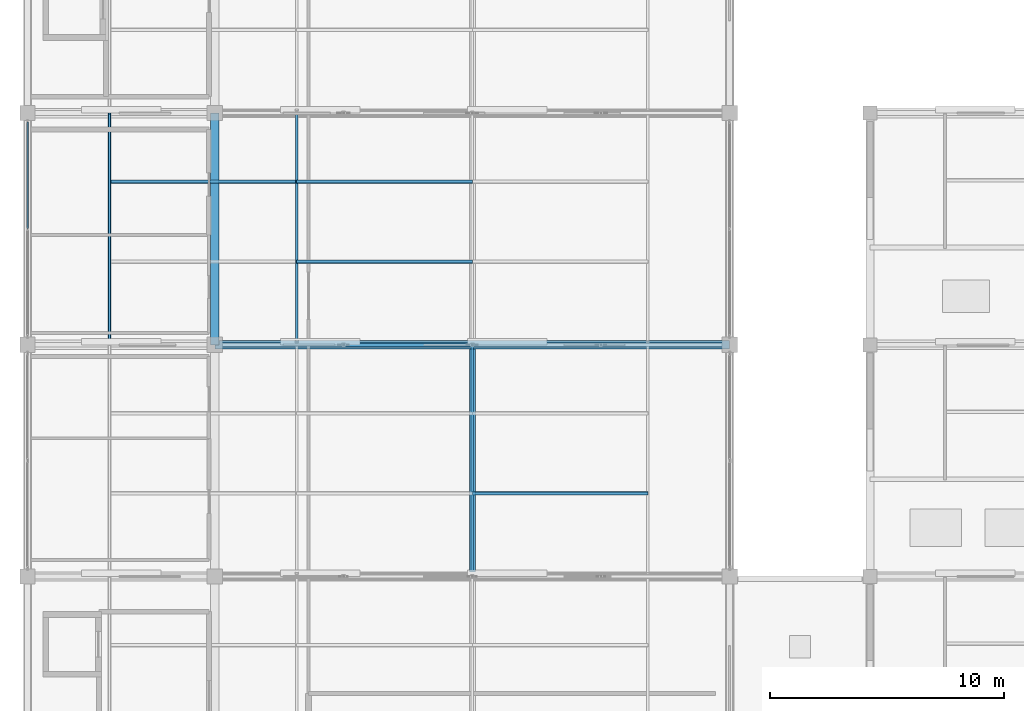
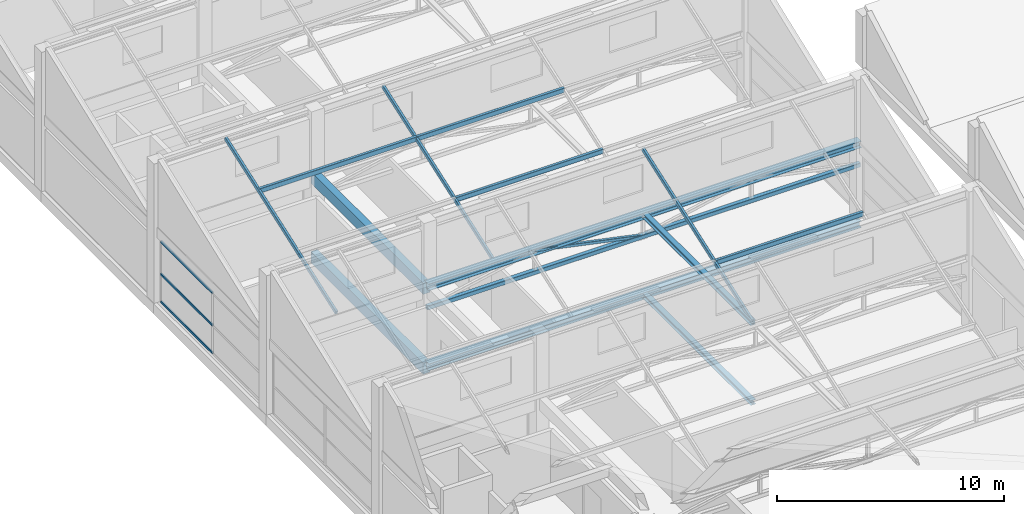
# One storey, part 12 of 35: 12 members, 6 beams, 1 element without a shape of its own.
"""IFC4 building model written with IfcOpenShell, lengths in metres."""

from ifc_helpers import new_model, si_unit, direction, frame, origin, origin_2d, place, context, subcontext, project, spatial, rectangle, hollow_rectangle, i_section, extrude, material, layer, layer_set, material_profile, profile_set, type_object, element, aggregate, save


model = new_model("IFC4")

# Units and contexts
model_context = context("Model", 3, precision=1e-05, world=origin(), true_north=direction((0.0, 1.0)))
body_context = subcontext(model_context, "Body", "Model", "MODEL_VIEW")
ifc_project = project(units=[si_unit("LENGTHUNIT", "METRE"), si_unit("AREAUNIT", "SQUARE_METRE"), si_unit("VOLUMEUNIT", "CUBIC_METRE"), si_unit("PLANEANGLEUNIT", "RADIAN"), si_unit("MASSUNIT", "GRAM", prefix="KILO")], contexts=[model_context])

# Site, building, storey
site_placement = place(None, origin())
site = spatial("IfcSite", under=ifc_project, at=site_placement, CompositionType="ELEMENT")
building_placement = place(site_placement, origin())
building = spatial("IfcBuilding", under=site, at=building_placement, Name="Sillaruma Civic Art Gallery", CompositionType="ELEMENT")
storey_placement = place(building_placement, frame((0.0, 0.0, 74.4599609375)))
storey = spatial("IfcBuildingStorey", under=building, at=storey_placement, Name="L15", CompositionType="ELEMENT", Elevation=74.4599609375)

# Beams
ifc_material_1 = material(Name="Concrete H35 (35 MPa)", Category="concrete")
ifc_material_profile_1 = material_profile(ifc_material_1, rectangle(XDim=0.35009765625, YDim=0.60009765625, at=origin_2d()), Name="RCB350x600")
ifc_profile_set_1 = profile_set([ifc_material_profile_1], Name="Concrete H35 (35 MPa)")
beam_type_1 = type_object("IfcBeamType", Name="BM-BEAM-RCB350x600", PredefinedType="BEAM", material=ifc_profile_set_1)
beam_1_placement = place(storey_placement, frame((70.0, 59.39990234375, -0.550048828125), z_axis=(0.0, 1.0, 0.0), x_axis=(-1.0, 0.0, 0.0)))
element("IfcBeam", 1, at=beam_1_placement, inside=storey, type_object=beam_type_1, Name="Beam BM-06 (L14:G:7-8)", PredefinedType="BEAM", context=body_context, shape_type="SweptSolid", body=[
    extrude(rectangle(XDim=0.35009765625, YDim=0.60009765625, at=origin_2d()), origin(), (0.0, 0.0, 1.0), 9.900146484375),
])
ifc_material_2 = material(Name="Structural Steel ASTM A992 Gr.50", Category="steel")
ifc_material_profile_2 = material_profile(ifc_material_2, i_section(OverallWidth=0.256103515625, OverallDepth=0.260009765625, WebThickness=0.0107421875, FlangeThickness=0.017333984375, FilletRadius=0.012939453125, at=origin_2d()), Name="W250x89")
ifc_profile_set_2 = profile_set([ifc_material_profile_2], Name="Structural Steel ASTM A992 Gr.50")
beam_type_2 = type_object("IfcBeamType", Name="BM-JOIST-W250x89", PredefinedType="JOIST", material=ifc_profile_set_2)
beam_2_placement = place(storey_placement, frame((81.0, 49.685546875, -0.3798828125), z_axis=(0.0, 1.0, 0.0), x_axis=(-1.0, 0.0, 0.0)))
element("IfcBeam", 2, at=beam_2_placement, inside=storey, type_object=beam_type_2, Name="Long-Span Gallery Joist JS-04 (L14:6-7)", PredefinedType="JOIST", context=body_context, shape_type="SweptSolid", body=[
    extrude(i_section(OverallWidth=0.256103515625, OverallDepth=0.260009765625, WebThickness=0.0107421875, FlangeThickness=0.017333984375, FilletRadius=0.012939453125, at=origin_2d()), origin(), (0.0, 0.0, 1.0), 9.529052734375),
])
ifc_material_profile_3 = material_profile(ifc_material_2, i_section(OverallWidth=0.256103515625, OverallDepth=0.260009765625, WebThickness=0.0107421875, FlangeThickness=0.017333984375, FilletRadius=0.012939453125, at=origin_2d()), Name="W250x89")
ifc_profile_set_3 = profile_set([ifc_material_profile_3], Name="Structural Steel ASTM A992 Gr.50")
beam_type_3 = type_object("IfcBeamType", Name="BM-RJOIST-W250x89", PredefinedType="JOIST", material=ifc_profile_set_3)
beam_3_placement = place(storey_placement, frame((81.0, 49.685546875, 3.91015625), z_axis=(0.0, 1.0, 0.0), x_axis=(-1.0, 0.0, 0.0)))
element("IfcBeam", 3, at=beam_3_placement, inside=storey, type_object=beam_type_3, Name="Long-Span Gallery Joist JSR-04 (L15:6-7)", PredefinedType="JOIST", context=body_context, shape_type="SweptSolid", body=[
    extrude(i_section(OverallWidth=0.256103515625, OverallDepth=0.260009765625, WebThickness=0.0107421875, FlangeThickness=0.017333984375, FilletRadius=0.012939453125, at=origin_2d()), origin(), (0.0, 0.0, 1.0), 9.529052734375),
])
ifc_material_profile_4 = material_profile(ifc_material_1, rectangle(XDim=0.35009765625, YDim=0.60009765625, at=origin_2d()), Name="RCB350x600")
ifc_profile_set_4 = profile_set([ifc_material_profile_4], Name="Concrete H35 (35 MPa)")
beam_type_4 = type_object("IfcBeamType", Name="BM-ROF-RCB350x600", PredefinedType="BEAM", material=ifc_profile_set_4)
beam_4_placement = place(storey_placement, frame((70.0, 59.39990234375, 3.739990234375), z_axis=(0.0, 1.0, 0.0), x_axis=(-1.0, 0.0, 0.0)))
element("IfcBeam", 4, at=beam_4_placement, inside=storey, type_object=beam_type_4, Name="Beam BRF-06 (L15:G:7-8)", PredefinedType="BEAM", context=body_context, shape_type="SweptSolid", body=[
    extrude(rectangle(XDim=0.35009765625, YDim=0.60009765625, at=origin_2d()), origin(), (0.0, 0.0, 1.0), 9.900146484375),
])
ifc_material_profile_5 = material_profile(ifc_material_2, i_section(OverallWidth=0.37109375, OverallDepth=0.364013671875, WebThickness=0.01318359375, FlangeThickness=0.021728515625, FilletRadius=0.014892578125, at=origin_2d()), Name="W360x162")
ifc_profile_set_5 = profile_set([ifc_material_profile_5], Name="Structural Steel ASTM A992 Gr.50")
beam_type_5 = type_object("IfcBeamType", Name="BM-TRROF-W360x162", PredefinedType="BEAM", material=ifc_profile_set_5)
beam_5_placement = place(storey_placement, frame((70.0, 59.39990234375, 3.858154296875), z_axis=(1.0, 0.0, 0.0), x_axis=(0.0, 1.0, 0.0)))
element("IfcBeam", 5, at=beam_5_placement, inside=storey, type_object=beam_type_5, Name="Warren Truss Top Chord TR-L15-3", PredefinedType="BEAM", context=body_context, shape_type="SweptSolid", body=[
    extrude(i_section(OverallWidth=0.37109375, OverallDepth=0.364013671875, WebThickness=0.01318359375, FlangeThickness=0.021728515625, FilletRadius=0.014892578125, at=origin_2d()), origin(), (0.0, 0.0, 1.0), 22.0),
])
ifc_material_profile_6 = material_profile(ifc_material_2, i_section(OverallWidth=0.37109375, OverallDepth=0.364013671875, WebThickness=0.01318359375, FlangeThickness=0.021728515625, FilletRadius=0.014892578125, at=origin_2d()), Name="W360x162")
ifc_profile_set_6 = profile_set([ifc_material_profile_6], Name="Structural Steel ASTM A992 Gr.50")
beam_type_6 = type_object("IfcBeamType", Name="BM-TRTOP-W360x162", PredefinedType="BEAM", material=ifc_profile_set_6)
beam_6_placement = place(storey_placement, frame((70.0, 59.39990234375, -0.431884765625), z_axis=(1.0, 0.0, 0.0), x_axis=(0.0, 1.0, 0.0)))
element("IfcBeam", 6, at=beam_6_placement, inside=storey, type_object=beam_type_6, Name="Warren Truss Top Chord TR-L14-2", PredefinedType="BEAM", context=body_context, shape_type="SweptSolid", body=[
    extrude(i_section(OverallWidth=0.37109375, OverallDepth=0.364013671875, WebThickness=0.01318359375, FlangeThickness=0.021728515625, FilletRadius=0.014892578125, at=origin_2d()), origin(), (0.0, 0.0, 1.0), 22.0),
])

# Members
ifc_material_3 = material(Name="Structural Steel ASTM A500 Gr.C", Category="steel")
ifc_material_profile_7 = material_profile(ifc_material_3, hollow_rectangle(XDim=0.14990234375, YDim=0.14990234375, WallThickness=0.010009765625, InnerFilletRadius=0.010009765625, OuterFilletRadius=0.02001953125, at=origin_2d()), Name="HSS150x150x10")
ifc_profile_set_7 = profile_set([ifc_material_profile_7], Name="Structural Steel ASTM A500 Gr.C")
member_type_1 = type_object("IfcMemberType", Name="MEM-BRACE-HSS150x150x10", PredefinedType="BRACE", material=ifc_profile_set_7)
member_1_placement = place(storey_placement, frame((75.5, 59.39990234375, 3.858154296875), z_axis=(0.978538722809, 0.0, -0.206063019398), x_axis=(0.0, 1.0, 0.0)))
element("IfcMember", 7, at=member_1_placement, inside=storey, type_object=member_type_1, Name="Warren Truss Diagonal TR-L15-3-D2", PredefinedType="BRACE", context=body_context, shape_type="SweptSolid", body=[
    extrude(hollow_rectangle(XDim=0.14990234375, YDim=0.14990234375, WallThickness=0.010009765625, InnerFilletRadius=0.010009765625, OuterFilletRadius=0.02001953125, at=origin_2d()), origin(), (0.0, 0.0, 1.0), 5.62060546875),
])
ifc_material_profile_8 = material_profile(ifc_material_3, hollow_rectangle(XDim=0.219970703125, YDim=0.219970703125, WallThickness=0.012451171875, InnerFilletRadius=0.012451171875, OuterFilletRadius=0.02490234375, at=origin_2d()), Name="HSS220x220x12.5")
ifc_profile_set_8 = profile_set([ifc_material_profile_8], Name="Structural Steel ASTM A500 Gr.C")
member_type_2 = type_object("IfcMemberType", Name="MEM-CHORD-HSS220x220x12.5", PredefinedType="CHORD", material=ifc_profile_set_8)
member_2_placement = place(storey_placement, frame((70.0, 59.39990234375, 2.699951171875), z_axis=(1.0, 0.0, 0.0), x_axis=(0.0, 1.0, 0.0)))
element("IfcMember", 8, at=member_2_placement, inside=storey, type_object=member_type_2, Name="Warren Truss Bottom Chord TR-L15-3", PredefinedType="CHORD", context=body_context, shape_type="SweptSolid", body=[
    extrude(hollow_rectangle(XDim=0.219970703125, YDim=0.219970703125, WallThickness=0.012451171875, InnerFilletRadius=0.012451171875, OuterFilletRadius=0.02490234375, at=origin_2d()), origin(), (0.0, 0.0, 1.0), 22.0),
])
ifc_material_profile_9 = material_profile(ifc_material_3, hollow_rectangle(XDim=0.14990234375, YDim=0.25, WallThickness=0.010009765625, InnerFilletRadius=0.010009765625, OuterFilletRadius=0.02001953125, at=origin_2d()), Name="HSS250x150x10")
ifc_profile_set_9 = profile_set([ifc_material_profile_9], Name="Structural Steel ASTM A500 Gr.C")
member_type_3 = type_object("IfcMemberType", Name="MEM-PUR-HSS250", PredefinedType="PURLIN", material=ifc_profile_set_9)
for number, where, z_axis, x_axis, name in (
    (9, (81.0, 53.055908203125, 5.111083984375), (1.0, 0.0, 0.0), (0.0, 1.0, 0.0), "Sawtooth Roof Steel Purlin (2.1.3)"),
    (10, (73.5, 62.9560546875, 5.111083984375), (1.0, 0.0, 0.0), (0.0, 1.0, 0.0), "Sawtooth Roof Steel Purlin (3.1.2)"),
):
    element("IfcMember", number, at=place(storey_placement, frame(where, z_axis=z_axis, x_axis=x_axis)), inside=storey, type_object=member_type_3, Name=name, PredefinedType="PURLIN", context=body_context, shape_type="SweptSolid", body=[
        extrude(hollow_rectangle(XDim=0.14990234375, YDim=0.25, WallThickness=0.010009765625, InnerFilletRadius=0.010009765625, OuterFilletRadius=0.02001953125, at=origin_2d()), origin(), (0.0, 0.0, 1.0), 7.5),
    ])
member_3_placement = place(storey_placement, frame((65.5, 66.3720703125, 6.322021484375), z_axis=(1.0, 0.0, 0.0), x_axis=(0.0, 1.0, 0.0)))
element("IfcMember", 11, at=member_3_placement, inside=storey, type_object=member_type_3, Name="Sawtooth Roof Steel Purlin (3.2.1)", PredefinedType="PURLIN", context=body_context, shape_type="SweptSolid", body=[
    extrude(hollow_rectangle(XDim=0.14990234375, YDim=0.25, WallThickness=0.010009765625, InnerFilletRadius=0.010009765625, OuterFilletRadius=0.02001953125, at=origin_2d()), origin(), (0.0, 0.0, 1.0), 8.0),
])
member_4_placement = place(storey_placement, frame((73.5, 66.3720703125, 6.322021484375), z_axis=(1.0, 0.0, 0.0), x_axis=(0.0, 1.0, 0.0)))
element("IfcMember", 12, at=member_4_placement, inside=storey, type_object=member_type_3, Name="Sawtooth Roof Steel Purlin (3.2.2)", PredefinedType="PURLIN", context=body_context, shape_type="SweptSolid", body=[
    extrude(hollow_rectangle(XDim=0.14990234375, YDim=0.25, WallThickness=0.010009765625, InnerFilletRadius=0.010009765625, OuterFilletRadius=0.02001953125, at=origin_2d()), origin(), (0.0, 0.0, 1.0), 7.5),
])
ifc_material_profile_10 = material_profile(ifc_material_3, hollow_rectangle(XDim=0.1201171875, YDim=0.199951171875, WallThickness=0.008056640625, InnerFilletRadius=0.008056640625, OuterFilletRadius=0.01611328125, at=origin_2d()), Name="HSS200x120x8")
ifc_profile_set_10 = profile_set([ifc_material_profile_10], Name="Structural Steel ASTM A500 Gr.C")
member_type_4 = type_object("IfcMemberType", Name="MEM-RAF-HSS200", PredefinedType="PURLIN", material=ifc_profile_set_10)
for number, where, z_axis, x_axis, name in (
    (13, (81.0, 49.639892578125, 3.900146484375), (0.0, 0.942527174953, 0.33412950255), (-1.0, 0.0, 0.0), "Sawtooth Sloped Steel Rafter (2-C)"),
    (14, (65.5, 59.5400390625, 3.900146484375), (0.0, 0.942527174953, 0.33412950255), (-1.0, 0.0, 0.0), "Sawtooth Sloped Steel Rafter (3-FW)"),
    (15, (73.5, 59.5400390625, 3.900146484375), (0.0, 0.942527174953, 0.33412950255), (-1.0, 0.0, 0.0), "Sawtooth Sloped Steel Rafter (3-W)"),
):
    element("IfcMember", number, at=place(storey_placement, frame(where, z_axis=z_axis, x_axis=x_axis)), inside=storey, type_object=member_type_4, Name=name, PredefinedType="PURLIN", context=body_context, shape_type="SweptSolid", body=[
        extrude(hollow_rectangle(XDim=0.1201171875, YDim=0.199951171875, WallThickness=0.008056640625, InnerFilletRadius=0.008056640625, OuterFilletRadius=0.01611328125, at=origin_2d()), origin(), (0.0, 0.0, 1.0), 10.355224609375),
    ])

# Curtain wall, members
ifc_material_4 = material(Name="Thermally Broken Extruded Aluminium 6063-T6", Category="aluminium")
ifc_layer = layer(ifc_material_4, 0.139892578125, Name="Thermally Broken Extruded Aluminium 6063-T6")
ifc_layer_set = layer_set([ifc_layer], Name="Thermally Broken Extruded Aluminium 6063-T6")
curtain_wall_type = type_object("IfcCurtainWallType", Name="CW-UNI-113", PredefinedType="NOTDEFINED", material=ifc_layer_set)
curtain_wall_placement = place(storey_placement, origin())
curtain_wall = element("IfcCurtainWall", 16, at=curtain_wall_placement, inside=storey, type_object=curtain_wall_type, Name="Unitised Curtain Wall CW-113 (CW-L15-WBW-5)", PredefinedType="NOTDEFINED")
ifc_material_profile_11 = material_profile(ifc_material_4, hollow_rectangle(XDim=0.06494140625, YDim=0.1201171875, WallThickness=0.00341796875, at=origin_2d()), Name="CWT65x120")
ifc_profile_set_11 = profile_set([ifc_material_profile_11], Name="Thermally Broken Extruded Aluminium 6063-T6")
member_type_5 = type_object("IfcMemberType", Name="MEM-TRN-CWT65x120", PredefinedType="USERDEFINED", material=ifc_profile_set_11)
member_5_placement = place(storey_placement, frame((62.0, 64.3798828125, 0.032470703125), z_axis=(0.0, 1.0, 0.0), x_axis=(-1.0, 0.0, 0.0)))
member_5 = element("IfcMember", 17, at=member_5_placement, type_object=member_type_5, Name="CW-113 transom 2.1", ObjectType="TRANSOM", PredefinedType="USERDEFINED", context=body_context, shape_type="SweptSolid", body=[
    extrude(hollow_rectangle(XDim=0.06494140625, YDim=0.1201171875, WallThickness=0.00341796875, at=origin_2d()), origin(), (0.0, 0.0, 1.0), 4.53515625),
])
member_6_placement = place(storey_placement, frame((62.0, 64.3798828125, 1.513427734375), z_axis=(0.0, 1.0, 0.0), x_axis=(-1.0, 0.0, 0.0)))
member_6 = element("IfcMember", 18, at=member_6_placement, type_object=member_type_5, Name="CW-113 transom 2.2", ObjectType="TRANSOM", PredefinedType="USERDEFINED", context=body_context, shape_type="SweptSolid", body=[
    extrude(hollow_rectangle(XDim=0.06494140625, YDim=0.1201171875, WallThickness=0.00341796875, at=origin_2d()), origin(), (0.0, 0.0, 1.0), 4.53515625),
])
member_7_placement = place(storey_placement, frame((62.0, 64.3798828125, 3.257568359375), z_axis=(0.0, 1.0, 0.0), x_axis=(-1.0, 0.0, 0.0)))
member_7 = element("IfcMember", 19, at=member_7_placement, type_object=member_type_5, Name="CW-113 transom 2.3", ObjectType="TRANSOM", PredefinedType="USERDEFINED", context=body_context, shape_type="SweptSolid", body=[
    extrude(hollow_rectangle(XDim=0.06494140625, YDim=0.1201171875, WallThickness=0.00341796875, at=origin_2d()), origin(), (0.0, 0.0, 1.0), 4.53515625),
])
aggregate(curtain_wall, [member_5, member_6, member_7])

save(model, "model.ifc")
